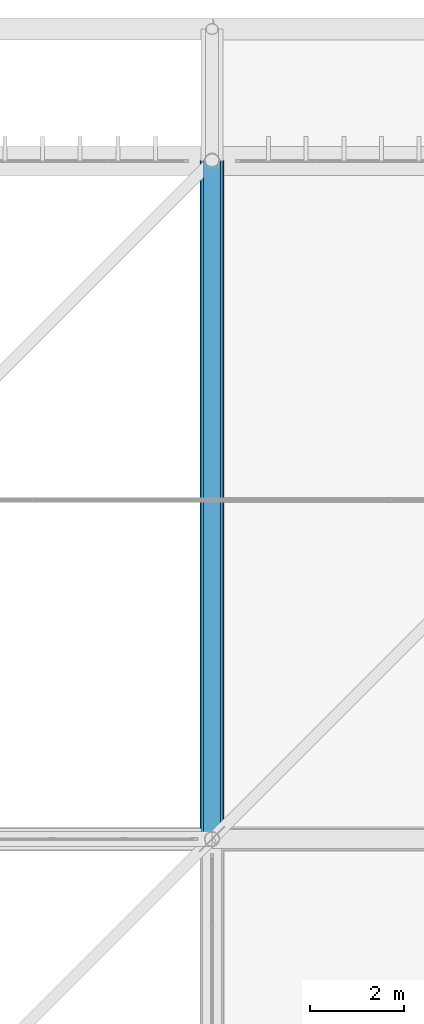
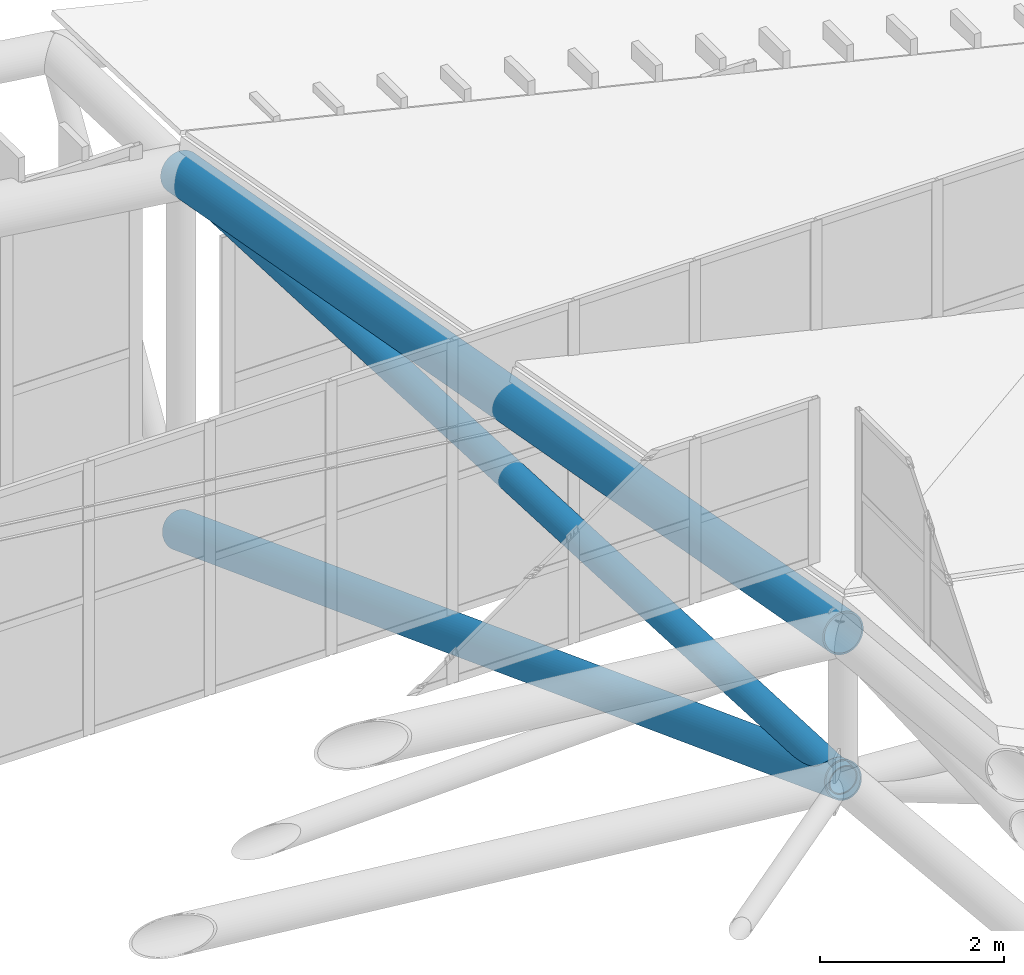
# One storey, part 339 of 397: 2 beams, 1 member.
"""IFC4 building model written with IfcOpenShell, lengths in metres."""

from ifc_helpers import new_model, si_unit, direction, frame, origin, origin_2d, place, context, subcontext, project, spatial, hollow_circle, extrude, material, material_profile, profile_set, type_object, element, save


model = new_model("IFC4")

# Units and contexts
model_context = context("Model", 3, precision=1e-05, world=origin(), true_north=direction((0.0, 1.0)))
body_context = subcontext(model_context, "Body", "Model", "MODEL_VIEW")
ifc_project = project(units=[si_unit("LENGTHUNIT", "METRE"), si_unit("AREAUNIT", "SQUARE_METRE"), si_unit("VOLUMEUNIT", "CUBIC_METRE"), si_unit("PLANEANGLEUNIT", "RADIAN"), si_unit("MASSUNIT", "GRAM", prefix="KILO")], contexts=[model_context])

# Site, building, storey
site_placement = place(None, origin())
site = spatial("IfcSite", under=ifc_project, at=site_placement, CompositionType="ELEMENT")
building_placement = place(site_placement, origin())
building = spatial("IfcBuilding", under=site, at=building_placement, Name="Qandorah Velis Arena", CompositionType="ELEMENT")
storey_placement = place(building_placement, frame((0.0, 0.0, 27.5)))
storey = spatial("IfcBuildingStorey", under=building, at=storey_placement, Name="RF", CompositionType="ELEMENT", Elevation=27.5)

# Beams
ifc_material = material(Name="Steel S355", Category="steel")
ifc_material_profile_1 = material_profile(ifc_material, hollow_circle(Radius=0.228515625, WallThickness=0.01611328125, at=origin_2d()), Name="CHS 457x16")
ifc_profile_set_1 = profile_set([ifc_material_profile_1], Name="Steel S355")
beam_type_1 = type_object("IfcBeamType", Name="STR-SFC-CHS457X16", PredefinedType="USERDEFINED", material=ifc_profile_set_1)
beam_1_placement = place(storey_placement, frame((100.800048828125, 100.800048828125, 5.515380859375), z_axis=(0.0, 0.936001385317, -0.351996316295), x_axis=(-1.0, 0.0, 0.0)))
element("IfcBeam", 1, at=beam_1_placement, inside=storey, type_object=beam_type_1, Name="Space frame roof truss bottom chord Y 6.6", ObjectType="ROOF TRUSS", PredefinedType="USERDEFINED", context=body_context, shape_type="SweptSolid", body=[
    extrude(hollow_circle(Radius=0.228515625, WallThickness=0.01611328125, at=origin_2d()), origin(), (0.0, 0.0, 1.0), 15.384521484375),
])
ifc_material_profile_2 = material_profile(ifc_material, hollow_circle(Radius=0.25390625, WallThickness=0.02001953125, at=origin_2d()), Name="CHS 508x20")
ifc_profile_set_2 = profile_set([ifc_material_profile_2], Name="Steel S355")
beam_type_2 = type_object("IfcBeamType", Name="STR-SFC-CHS508X20", PredefinedType="USERDEFINED", material=ifc_profile_set_2)
beam_2_placement = place(storey_placement, frame((100.800048828125, 100.800048828125, 7.46533203125), z_axis=(0.0, 0.983925646185, -0.178578617924), x_axis=(-1.0, 0.0, 0.0)))
element("IfcBeam", 2, at=beam_2_placement, inside=storey, type_object=beam_type_2, Name="Space frame roof truss top chord Y 6.6", ObjectType="ROOF TRUSS", PredefinedType="USERDEFINED", context=body_context, shape_type="SweptSolid", body=[
    extrude(hollow_circle(Radius=0.25390625, WallThickness=0.02001953125, at=origin_2d()), origin(), (0.0, 0.0, 1.0), 14.63525390625),
])

# Member
ifc_material_profile_3 = material_profile(ifc_material, hollow_circle(Radius=0.177734375, WallThickness=0.012451171875, at=origin_2d()), Name="CHS 355.6x12.5")
ifc_profile_set_3 = profile_set([ifc_material_profile_3], Name="Steel S355")
member_type = type_object("IfcMemberType", Name="STR-SFD-CHS355X12", PredefinedType="STRUT", material=ifc_profile_set_3)
member_placement = place(storey_placement, frame((100.800048828125, 100.800048828125, 5.515380859375), z_axis=(0.0, 0.99893991934, -0.046033004998), x_axis=(-1.0, 0.0, 0.0)))
element("IfcMember", 3, at=member_placement, inside=storey, type_object=member_type, Name="Space frame roof diagonal Y 6.6", PredefinedType="STRUT", context=body_context, shape_type="SweptSolid", body=[
    extrude(hollow_circle(Radius=0.177734375, WallThickness=0.012451171875, at=origin_2d()), origin(), (0.0, 0.0, 1.0), 14.415283203125),
])

save(model, "model.ifc")
